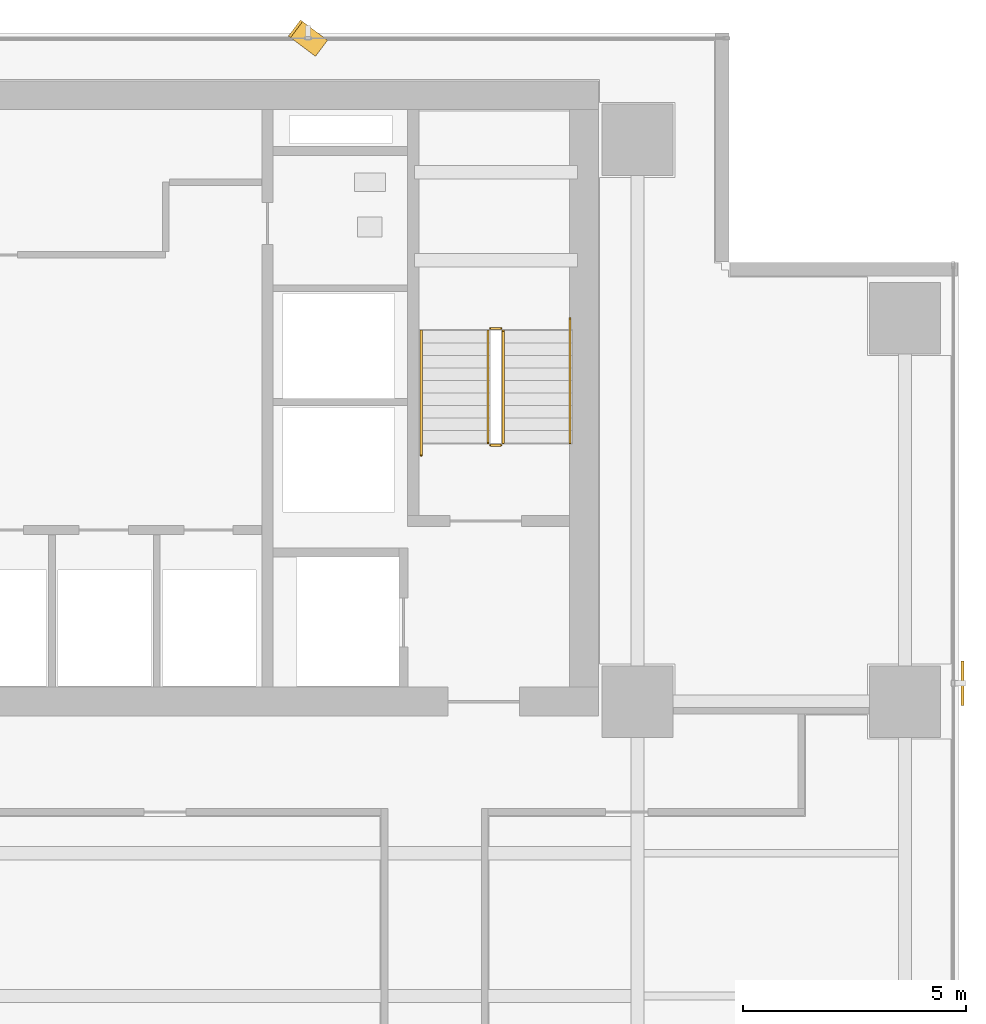
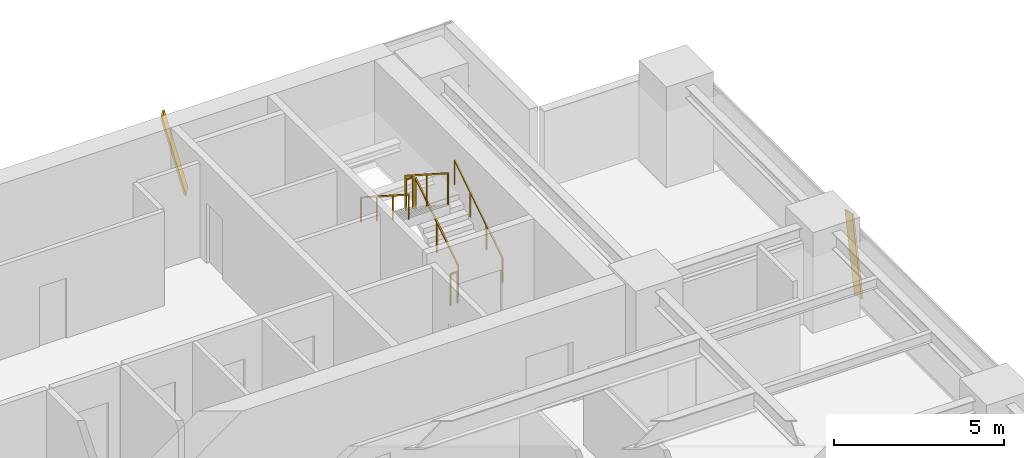
# One storey, part 27 of 28: 6 railings, 2 shading devices.
"""IFC4 building model written with IfcOpenShell, lengths in metres."""

import ifcopenshell
import ifcopenshell.guid

model = None  # the IFC model being written
_history = None  # IfcOwnerHistory: only IFC2X3 demands one
_inside = {}  # id of a spatial element -> (the spatial element, [elements in it])
_under = {}  # id of a project, library or spatial element -> (it, [spatial elements below it])
_declared = {}  # id of a project -> (the project, [libraries it declares])
_typed = {}  # id of a type object -> (the type object, [elements of that type])
_made_of = {}  # id of a material, layer set ... -> (it, [elements and type objects made of it])


def new_model(schema):
    """Start an empty IFC model of exactly this schema.

    Asked for "IFC4X3", IfcOpenShell would pick the latest addendum, in which some entities
    have other attributes; the version numbers below select the first issue.
    IFC2X3 requires an IfcOwnerHistory on every rooted entity: one is made here for all.
    """
    global model, _history
    if schema == "IFC4X3":
        model = ifcopenshell.file(schema_version=(4, 3, 0, 0))
    else:
        model = ifcopenshell.file(schema=schema)
    _inside.clear()
    _under.clear()
    _declared.clear()
    _typed.clear()
    _made_of.clear()
    _history = None
    if model.schema == "IFC2X3":
        org = make("IfcOrganization", Name="unknown")
        user = make(
            "IfcPersonAndOrganization",
            ThePerson=make("IfcPerson", FamilyName="unknown"),
            TheOrganization=org,
        )
        app = make(
            "IfcApplication",
            ApplicationDeveloper=org,
            Version="unknown",
            ApplicationFullName="unknown",
            ApplicationIdentifier="unknown",
        )
        _history = make(
            "IfcOwnerHistory",
            OwningUser=user,
            OwningApplication=app,
            ChangeAction="ADDED",
            CreationDate=0,
        )
    return model


def make(cls, **values):
    """One entity of the class cls with the attributes given. An attribute that is None is left unset."""
    return model.create_entity(
        cls, **{name: value for name, value in values.items() if value is not None}
    )


def rooted(cls, **values):
    """An entity with a GlobalId (a new one), such as an element, a storey or a relation."""
    return make(cls, GlobalId=ifcopenshell.guid.new(), OwnerHistory=_history, **values)


def si_unit(unit_type, name, prefix=None):
    """IfcSIUnit, for example si_unit("LENGTHUNIT", "METRE", prefix="MILLI")."""
    return make("IfcSIUnit", UnitType=unit_type, Prefix=prefix, Name=name)


def assignment(units):
    """IfcUnitAssignment: the units of a project."""
    return None if units is None else make("IfcUnitAssignment", Units=units)


def point(xyz):
    """IfcCartesianPoint."""
    return None if xyz is None else make("IfcCartesianPoint", Coordinates=xyz)


def direction(xyz):
    """IfcDirection."""
    return None if xyz is None else make("IfcDirection", DirectionRatios=xyz)


def frame(location, z_axis=None, x_axis=None):
    """IfcAxis2Placement3D, a coordinate frame: its origin and axes. An axis left out is left unset."""
    return make(
        "IfcAxis2Placement3D",
        Location=point(location),
        Axis=direction(z_axis),
        RefDirection=direction(x_axis),
    )


def frame_2d(location, x_axis=None):
    """IfcAxis2Placement2D, a coordinate frame in the plane: its origin and x axis."""
    return make(
        "IfcAxis2Placement2D", Location=point(location), RefDirection=direction(x_axis)
    )


def origin():
    """The frame at (0, 0, 0) with its axes left unset."""
    return frame((0.0, 0.0, 0.0))


def origin_2d():
    """The frame at (0, 0) in the plane with its x axis left unset."""
    return frame_2d((0.0, 0.0))


def place(relative_to, where):
    """IfcLocalPlacement: puts the frame where relative to a parent placement (None: the world)."""
    return make(
        "IfcLocalPlacement", PlacementRelTo=relative_to, RelativePlacement=where
    )


def context(
    kind, dimensions, precision=None, world=None, true_north=None, identifier=None
):
    """IfcGeometricRepresentationContext, for example the 3D "Model" context."""
    return make(
        "IfcGeometricRepresentationContext",
        ContextIdentifier=identifier,
        ContextType=kind,
        CoordinateSpaceDimension=dimensions,
        Precision=precision,
        WorldCoordinateSystem=world,
        TrueNorth=true_north,
    )


def subcontext(parent, identifier, kind, view, scale=None):
    """IfcGeometricRepresentationSubContext, for example "Body" below "Model"."""
    return make(
        "IfcGeometricRepresentationSubContext",
        ContextIdentifier=identifier,
        ContextType=kind,
        ParentContext=parent,
        TargetScale=scale,
        TargetView=view,
    )


def project(units=None, contexts=None):
    """IfcProject with its units and contexts."""
    return rooted(
        "IfcProject",
        Name="project",
        RepresentationContexts=contexts,
        UnitsInContext=assignment(units),
    )


def spatial(cls, under=None, at=None, **own):
    """A site, building, storey or space (cls), placed at a placement, below another one or the project."""
    s = rooted(cls, ObjectPlacement=at, **own)
    if under is not None:
        _under.setdefault(under.id(), (under, []))[1].append(s)
    return s


def profile(cls, at=None, kind="AREA", **sizes):
    """A parametric profile (cls). Its sizes go by their IFC names, for example OverallWidth=200.0."""
    return make(cls, ProfileType=kind, Position=at, **sizes)


def rectangle(**sizes):
    """IfcRectangleProfileDef."""
    return profile("IfcRectangleProfileDef", **sizes)


def extrude(swept, where, along, depth):
    """IfcExtrudedAreaSolid: the profile swept, set in the frame where, extruded along a direction by depth."""
    return make(
        "IfcExtrudedAreaSolid",
        SweptArea=swept,
        Position=where,
        ExtrudedDirection=direction(along),
        Depth=depth,
    )


def shape(context_of_items, identifier, shape_type, items):
    """IfcShapeRepresentation: the items that make up one representation, for example the "Body"."""
    return make(
        "IfcShapeRepresentation",
        ContextOfItems=context_of_items,
        RepresentationIdentifier=identifier,
        RepresentationType=shape_type,
        Items=items,
    )


def source(mapping_origin, context_of_items, identifier, shape_type, items):
    """IfcRepresentationMap: a shape defined once, which mapped items show again and again."""
    return make(
        "IfcRepresentationMap",
        MappingOrigin=mapping_origin,
        MappedRepresentation=shape(context_of_items, identifier, shape_type, items),
    )


def transform(
    local_origin,
    x_axis=None,
    y_axis=None,
    z_axis=None,
    scale=None,
    scale2=None,
    scale3=None,
    uniform=True,
):
    """IfcCartesianTransformationOperator3D, or its non-uniform kind. x_axis, y_axis, z_axis: its Axis1, 2, 3."""
    if uniform:
        return make(
            "IfcCartesianTransformationOperator3D",
            Axis1=direction(x_axis),
            Axis2=direction(y_axis),
            LocalOrigin=point(local_origin),
            Scale=scale,
            Axis3=direction(z_axis),
        )
    return make(
        "IfcCartesianTransformationOperator3DnonUniform",
        Axis1=direction(x_axis),
        Axis2=direction(y_axis),
        LocalOrigin=point(local_origin),
        Scale=scale,
        Axis3=direction(z_axis),
        Scale2=scale2,
        Scale3=scale3,
    )


def mapped(mapping_source, mapping_target):
    """IfcMappedItem: shows the shape of a source again, moved by a transform."""
    return make(
        "IfcMappedItem", MappingSource=mapping_source, MappingTarget=mapping_target
    )


def material(Name=None, Category=None):
    """IfcMaterial."""
    return make("IfcMaterial", Name=Name, Category=Category)


def material_profile(
    of_material, cross_section, Name=None, Category=None, Priority=None
):
    """IfcMaterialProfile: a cross section and its material."""
    return make(
        "IfcMaterialProfile",
        Name=Name,
        Material=of_material,
        Profile=cross_section,
        Priority=Priority,
        Category=Category,
    )


def profile_set(profiles, Name=None, composite=None):
    """IfcMaterialProfileSet."""
    return make(
        "IfcMaterialProfileSet",
        Name=Name,
        MaterialProfiles=profiles,
        CompositeProfile=composite,
    )


def made_of(thing, what):
    """Note that an element or type object is made of a material, layer set ...; save() writes the relation."""
    if what is not None:
        _made_of.setdefault(what.id(), (what, []))[1].append(thing)
    return thing


def type_object(cls, material=None, **own):
    """A type object (cls), such as IfcWallType, which elements share."""
    return made_of(rooted(cls, **own), material)


def element(
    cls,
    number,
    at=None,
    inside=None,
    cuts=None,
    type_object=None,
    material=None,
    context=None,
    identifier="Body",
    shape_type=None,
    held_by="IfcProductDefinitionShape",
    body=None,
    shapes=None,
    **own,
):
    """One element of the class cls, such as IfcWall. Its Tag is "e" and its number.

    at: its placement. inside: the storey or other place that contains it. cuts: it is an
    opening in that element (IfcRelVoidsElement). A single representation is given by context,
    identifier, shape_type and body (its items); several are given by shapes. held_by: the class
    of the entity that holds the representations. save() writes the other relations.
    """
    e = rooted(cls, Tag="e%d" % number, ObjectPlacement=at, **own)
    if body is not None:
        shapes = [shape(context, identifier, shape_type, body)]
    if shapes is not None:
        e.Representation = make(held_by, Representations=shapes)
    if inside is not None:
        _inside.setdefault(inside.id(), (inside, []))[1].append(e)
    if cuts is not None:
        rooted(
            "IfcRelVoidsElement", RelatingBuildingElement=cuts, RelatedOpeningElement=e
        )
    if type_object is not None:
        _typed.setdefault(type_object.id(), (type_object, []))[1].append(e)
    return made_of(e, material)


def aggregate(whole, parts):
    """IfcRelAggregates: a whole, such as a stair, and the parts it consists of."""
    return rooted("IfcRelAggregates", RelatingObject=whole, RelatedObjects=parts)


def save(model, path):
    """Write the relations noted so far, then the file.

    IfcRelAggregates (storeys below a building ...), IfcRelContainedInSpatialStructure (elements
    in a storey), IfcRelDefinesByType, IfcRelAssociatesMaterial and IfcRelDeclares: one each for
    every whole, place, type object, material and project.
    """
    for whole, parts in _under.values():
        aggregate(whole, parts)
    for where, things in _inside.values():
        rooted(
            "IfcRelContainedInSpatialStructure",
            RelatedElements=things,
            RelatingStructure=where,
        )
    for kind, things in _typed.values():
        rooted("IfcRelDefinesByType", RelatedObjects=things, RelatingType=kind)
    for what, things in _made_of.values():
        rooted("IfcRelAssociatesMaterial", RelatedObjects=things, RelatingMaterial=what)
    for by, libraries in _declared.values():
        rooted("IfcRelDeclares", RelatingContext=by, RelatedDefinitions=libraries)
    model.write(path)


model = new_model("IFC4")

# Units and contexts
model_context = context("Model", 3, precision=1e-05, world=origin(), true_north=direction((0.0, 1.0)))
body_context = subcontext(model_context, "Body", "Model", "MODEL_VIEW")
ifc_project = project(units=[si_unit("LENGTHUNIT", "METRE"), si_unit("AREAUNIT", "SQUARE_METRE"), si_unit("VOLUMEUNIT", "CUBIC_METRE"), si_unit("PLANEANGLEUNIT", "RADIAN"), si_unit("MASSUNIT", "GRAM", prefix="KILO")], contexts=[model_context])

# Site, building, storey
site_placement = place(None, origin())
site = spatial("IfcSite", under=ifc_project, at=site_placement, CompositionType="ELEMENT")
building_placement = place(site_placement, origin())
building = spatial("IfcBuilding", under=site, at=building_placement, Name="Sumidabori Civic Tower", CompositionType="ELEMENT")
storey_placement = place(building_placement, frame((0.0, 0.0, 146.0)))
storey = spatial("IfcBuildingStorey", under=building, at=storey_placement, Name="L37", CompositionType="ELEMENT", Elevation=146.0)

# Railings
ifc_material_1 = material(Name="Stainless Steel Hairline Finish", Category="steel")
railing_type_1 = type_object("IfcRailingType", Name="RL-HANDRAIL", PredefinedType="HANDRAIL", material=ifc_material_1)
railing_1_placement = place(storey_placement, frame((15.2900390625, 16.0, 0.179931640625)))
element("IfcRailing", 1, at=railing_1_placement, inside=storey, type_object=railing_type_1, Name="L37 ST-2 stair handrail 1", PredefinedType="HANDRAIL", context=body_context, shape_type="SweptSolid", body=[
    extrude(rectangle(XDim=0.048095703125, YDim=0.048095703125, at=origin_2d()), frame((0.0, 0.0, 0.8759765625), z_axis=(0.0, 0.84064222762, 0.54159084662), x_axis=(-1.0, 0.0, 0.0)), (0.0, 0.0, 1.0), 3.330810546875),
    extrude(rectangle(XDim=0.0419921875, YDim=0.0419921875, at=origin_2d()), origin(), (0.0, 0.0, 1.0), 0.851806640625),
    extrude(rectangle(XDim=0.0419921875, YDim=0.0419921875, at=origin_2d()), frame((0.0, 0.933349609375, 0.601318359375)), (0.0, 0.0, 1.0), 0.851806640625),
    extrude(rectangle(XDim=0.0419921875, YDim=0.0419921875, at=origin_2d()), frame((0.0, 1.86669921875, 1.20263671875)), (0.0, 0.0, 1.0), 0.851806640625),
    extrude(rectangle(XDim=0.0419921875, YDim=0.0419921875, at=origin_2d()), frame((0.0, 2.800048828125, 1.803955078125)), (0.0, 0.0, 1.0), 0.851806640625),
])
railing_2_placement = place(storey_placement, frame((11.949951171875, 18.52001953125, 1.97998046875)))
element("IfcRailing", 2, at=railing_2_placement, inside=storey, type_object=railing_type_1, Name="L37 ST-2 stair handrail 2", PredefinedType="HANDRAIL", context=body_context, shape_type="SweptSolid", body=[
    extrude(rectangle(XDim=0.048095703125, YDim=0.048095703125, at=origin_2d()), frame((0.0, 0.0, 0.8759765625), z_axis=(0.0, -0.840675598268, 0.541539046124), x_axis=(1.0, 0.0, 0.0)), (0.0, 0.0, 1.0), 3.330810546875),
    extrude(rectangle(XDim=0.0419921875, YDim=0.0419921875, at=origin_2d()), origin(), (0.0, 0.0, 1.0), 0.851806640625),
    extrude(rectangle(XDim=0.0419921875, YDim=0.0419921875, at=origin_2d()), frame((0.0, -0.933349609375, 0.601318359375)), (0.0, 0.0, 1.0), 0.851806640625),
    extrude(rectangle(XDim=0.0419921875, YDim=0.0419921875, at=origin_2d()), frame((0.0, -1.86669921875, 1.202392578125)), (0.0, 0.0, 1.0), 0.851806640625),
    extrude(rectangle(XDim=0.0419921875, YDim=0.0419921875, at=origin_2d()), frame((0.0, -2.800048828125, 1.8037109375)), (0.0, 0.0, 1.0), 0.851806640625),
])
ifc_material_2 = material(Name="Steel SN490", Category="steel")
railing_type_2 = type_object("IfcRailingType", Name="RL-STAIR-GUARD", PredefinedType="GUARDRAIL", material=ifc_material_2)
railing_3_placement = place(storey_placement, frame((13.7900390625, 16.0, 0.179931640625)))
element("IfcRailing", 3, at=railing_3_placement, inside=storey, type_object=railing_type_2, Name="L37 ST-2 stair guard 1", PredefinedType="GUARDRAIL", context=body_context, shape_type="SweptSolid", body=[
    extrude(rectangle(XDim=0.048095703125, YDim=0.048095703125, at=origin_2d()), frame((0.0, 0.0, 1.1259765625), z_axis=(0.0, 0.841162588446, 0.540782303519), x_axis=(-1.0, 0.0, 0.0)), (0.0, 0.0, 1.0), 2.995849609375),
    extrude(rectangle(XDim=0.0419921875, YDim=0.0419921875, at=origin_2d()), origin(), (0.0, 0.0, 1.0), 1.101806640625),
    extrude(rectangle(XDim=0.0419921875, YDim=0.0419921875, at=origin_2d()), frame((0.0, 1.260009765625, 0.81005859375)), (0.0, 0.0, 1.0), 1.101806640625),
    extrude(rectangle(XDim=0.0419921875, YDim=0.0419921875, at=origin_2d()), frame((0.0, 2.52001953125, 1.6201171875)), (0.0, 0.0, 1.0), 1.101806640625),
])
railing_4_placement = place(storey_placement, frame((13.739990234375, 18.570068359375, 1.800048828125)))
element("IfcRailing", 4, at=railing_4_placement, inside=storey, type_object=railing_type_2, Name="L37 ST-2 stair guard 2", PredefinedType="GUARDRAIL", context=body_context, shape_type="SweptSolid", body=[
    extrude(rectangle(XDim=0.048095703125, YDim=0.048095703125, at=origin_2d()), frame((0.0, 0.0, 1.1259765625), z_axis=(-1.0, 0.0, 0.0), x_axis=(0.0, -1.0, 0.0)), (0.0, 0.0, 1.0), 0.239990234375),
    extrude(rectangle(XDim=0.0419921875, YDim=0.0419921875, at=origin_2d()), origin(), (0.0, 0.0, 1.0), 1.101806640625),
    extrude(rectangle(XDim=0.0419921875, YDim=0.0419921875, at=origin_2d()), frame((-0.239990234375, 0.0, 0.0)), (0.0, 0.0, 1.0), 1.101806640625),
])
railing_5_placement = place(storey_placement, frame((13.449951171875, 18.52001953125, 1.97998046875)))
element("IfcRailing", 5, at=railing_5_placement, inside=storey, type_object=railing_type_2, Name="L37 ST-2 stair guard 3", PredefinedType="GUARDRAIL", context=body_context, shape_type="SweptSolid", body=[
    extrude(rectangle(XDim=0.048095703125, YDim=0.048095703125, at=origin_2d()), frame((0.0, 0.0, 1.1259765625), z_axis=(0.0, -0.841162588446, 0.540782303519), x_axis=(1.0, 0.0, 0.0)), (0.0, 0.0, 1.0), 2.995849609375),
    extrude(rectangle(XDim=0.0419921875, YDim=0.0419921875, at=origin_2d()), origin(), (0.0, 0.0, 1.0), 1.101806640625),
    extrude(rectangle(XDim=0.0419921875, YDim=0.0419921875, at=origin_2d()), frame((0.0, -1.260009765625, 0.81005859375)), (0.0, 0.0, 1.0), 1.101806640625),
    extrude(rectangle(XDim=0.0419921875, YDim=0.0419921875, at=origin_2d()), frame((0.0, -2.52001953125, 1.6201171875)), (0.0, 0.0, 1.0), 1.101806640625),
])
railing_6_placement = place(storey_placement, frame((13.739990234375, 15.949951171875, 0.0)))
element("IfcRailing", 6, at=railing_6_placement, inside=storey, type_object=railing_type_2, Name="L37 ST-2 stair guard 4", PredefinedType="GUARDRAIL", context=body_context, shape_type="SweptSolid", body=[
    extrude(rectangle(XDim=0.048095703125, YDim=0.048095703125, at=origin_2d()), frame((0.0, 0.0, 1.1259765625), z_axis=(-1.0, 0.0, 0.0), x_axis=(0.0, -1.0, 0.0)), (0.0, 0.0, 1.0), 0.239990234375),
    extrude(rectangle(XDim=0.0419921875, YDim=0.0419921875, at=origin_2d()), origin(), (0.0, 0.0, 1.0), 1.101806640625),
    extrude(rectangle(XDim=0.0419921875, YDim=0.0419921875, at=origin_2d()), frame((-0.239990234375, 0.0, 0.0)), (0.0, 0.0, 1.0), 1.101806640625),
])

# Shading devices
ifc_material_3 = material(Name="Anodised Bronze Aluminium AW-6063-T6", Category="aluminium")
ifc_material_profile = material_profile(ifc_material_3, rectangle(XDim=0.06005859375, YDim=0.449951171875, at=origin_2d()), Name="BRONZE FIN 450x60")
ifc_profile_set = profile_set([ifc_material_profile], Name="Anodised Bronze Aluminium AW-6063-T6")
shading_device_type = type_object("IfcShadingDeviceType", Name="SH-FIN-450", PredefinedType="USERDEFINED", material=ifc_profile_set)
shared_shape_1 = source(origin(), body_context, "Body", "SweptSolid", [
    extrude(rectangle(XDim=0.06005859375, YDim=0.449951171875, at=origin_2d()), origin(), (0.0, 0.0, 1.0), 2.789306640625),
])
shading_device_1_placement = place(storey_placement, frame((9.68994140625, 24.8701171875, 0.02001953125), z_axis=(-0.200794136335, 0.150551837182, 0.967995794998), x_axis=(0.774477654896, -0.580689436103, 0.250966413819)))
element("IfcShadingDevice", 7, at=shading_device_1_placement, inside=storey, type_object=shading_device_type, Name="Bronze Anodised Diagonal Fin L37-01", ObjectType="FIN", PredefinedType="USERDEFINED", context=body_context, shape_type="MappedRepresentation", body=[
    mapped(shared_shape_1, transform((0.0, 0.0, 0.0), x_axis=(1.0, 0.0, 0.0), y_axis=(0.0, 1.0, 0.0), z_axis=(0.0, 0.0, 1.0), scale=1.0)),
])
shared_shape_2 = source(origin(), body_context, "Body", "SweptSolid", [
    extrude(rectangle(XDim=0.06005859375, YDim=0.449951171875, at=origin_2d()), origin(), (0.0, 0.0, 1.0), 2.75732421875),
])
shading_device_2_placement = place(storey_placement, frame((24.090087890625, 10.330078125, 0.02001953125), z_axis=(0.0, 0.20302426177, 0.979173707333), x_axis=(-1.0, 0.0, 0.0)))
element("IfcShadingDevice", 8, at=shading_device_2_placement, inside=storey, type_object=shading_device_type, Name="Bronze Anodised Diagonal Fin L37-03", ObjectType="FIN", PredefinedType="USERDEFINED", context=body_context, shape_type="MappedRepresentation", body=[
    mapped(shared_shape_2, transform((0.0, 0.0, 0.0), x_axis=(1.0, 0.0, 0.0), y_axis=(0.0, 1.0, 0.0), z_axis=(0.0, 0.0, 1.0), scale=1.0)),
])

save(model, "model.ifc")
